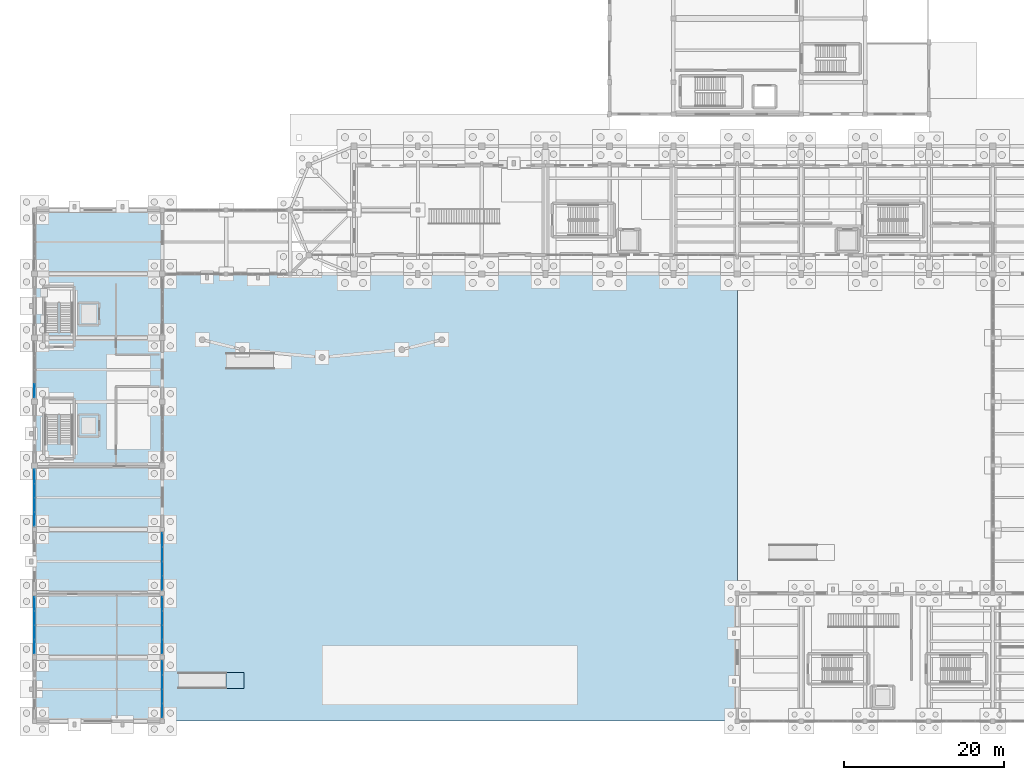
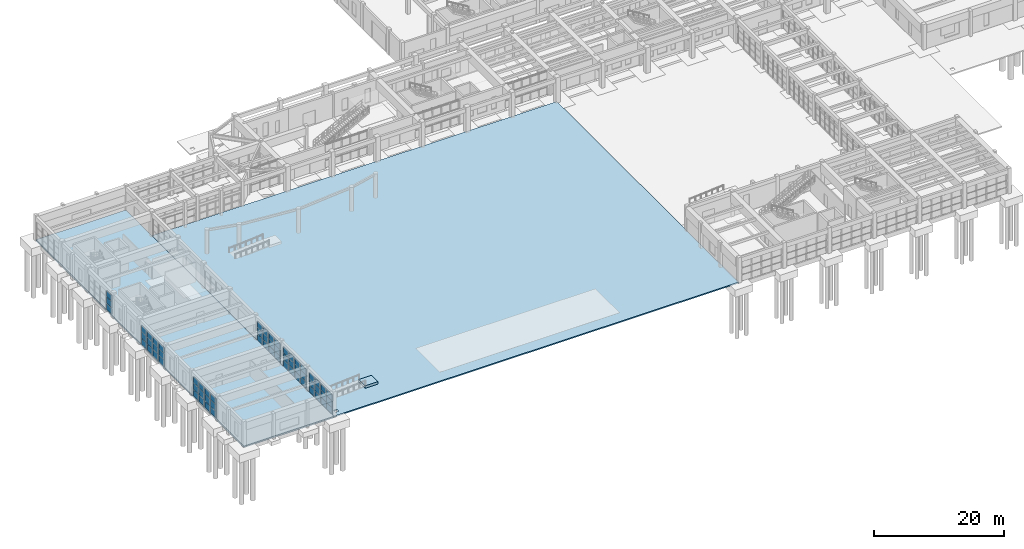
# One storey, part 35 of 68: 63 plates, 3 slabs, 6 elements without a shape of their own.
"""IFC4 building model written with IfcOpenShell, lengths in metres."""

import ifcopenshell
import ifcopenshell.guid

model = None  # the IFC model being written
_history = None  # IfcOwnerHistory: only IFC2X3 demands one
_inside = {}  # id of a spatial element -> (the spatial element, [elements in it])
_under = {}  # id of a project, library or spatial element -> (it, [spatial elements below it])
_declared = {}  # id of a project -> (the project, [libraries it declares])
_typed = {}  # id of a type object -> (the type object, [elements of that type])
_made_of = {}  # id of a material, layer set ... -> (it, [elements and type objects made of it])


def new_model(schema):
    """Start an empty IFC model of exactly this schema.

    Asked for "IFC4X3", IfcOpenShell would pick the latest addendum, in which some entities
    have other attributes; the version numbers below select the first issue.
    IFC2X3 requires an IfcOwnerHistory on every rooted entity: one is made here for all.
    """
    global model, _history
    if schema == "IFC4X3":
        model = ifcopenshell.file(schema_version=(4, 3, 0, 0))
    else:
        model = ifcopenshell.file(schema=schema)
    _inside.clear()
    _under.clear()
    _declared.clear()
    _typed.clear()
    _made_of.clear()
    _history = None
    if model.schema == "IFC2X3":
        org = make("IfcOrganization", Name="unknown")
        user = make(
            "IfcPersonAndOrganization",
            ThePerson=make("IfcPerson", FamilyName="unknown"),
            TheOrganization=org,
        )
        app = make(
            "IfcApplication",
            ApplicationDeveloper=org,
            Version="unknown",
            ApplicationFullName="unknown",
            ApplicationIdentifier="unknown",
        )
        _history = make(
            "IfcOwnerHistory",
            OwningUser=user,
            OwningApplication=app,
            ChangeAction="ADDED",
            CreationDate=0,
        )
    return model


def make(cls, **values):
    """One entity of the class cls with the attributes given. An attribute that is None is left unset."""
    return model.create_entity(
        cls, **{name: value for name, value in values.items() if value is not None}
    )


def rooted(cls, **values):
    """An entity with a GlobalId (a new one), such as an element, a storey or a relation."""
    return make(cls, GlobalId=ifcopenshell.guid.new(), OwnerHistory=_history, **values)


def si_unit(unit_type, name, prefix=None):
    """IfcSIUnit, for example si_unit("LENGTHUNIT", "METRE", prefix="MILLI")."""
    return make("IfcSIUnit", UnitType=unit_type, Prefix=prefix, Name=name)


def assignment(units):
    """IfcUnitAssignment: the units of a project."""
    return None if units is None else make("IfcUnitAssignment", Units=units)


def point(xyz):
    """IfcCartesianPoint."""
    return None if xyz is None else make("IfcCartesianPoint", Coordinates=xyz)


def direction(xyz):
    """IfcDirection."""
    return None if xyz is None else make("IfcDirection", DirectionRatios=xyz)


def frame(location, z_axis=None, x_axis=None):
    """IfcAxis2Placement3D, a coordinate frame: its origin and axes. An axis left out is left unset."""
    return make(
        "IfcAxis2Placement3D",
        Location=point(location),
        Axis=direction(z_axis),
        RefDirection=direction(x_axis),
    )


def frame_2d(location, x_axis=None):
    """IfcAxis2Placement2D, a coordinate frame in the plane: its origin and x axis."""
    return make(
        "IfcAxis2Placement2D", Location=point(location), RefDirection=direction(x_axis)
    )


def origin():
    """The frame at (0, 0, 0) with its axes left unset."""
    return frame((0.0, 0.0, 0.0))


def origin_2d():
    """The frame at (0, 0) in the plane with its x axis left unset."""
    return frame_2d((0.0, 0.0))


def place(relative_to, where):
    """IfcLocalPlacement: puts the frame where relative to a parent placement (None: the world)."""
    return make(
        "IfcLocalPlacement", PlacementRelTo=relative_to, RelativePlacement=where
    )


def context(
    kind, dimensions, precision=None, world=None, true_north=None, identifier=None
):
    """IfcGeometricRepresentationContext, for example the 3D "Model" context."""
    return make(
        "IfcGeometricRepresentationContext",
        ContextIdentifier=identifier,
        ContextType=kind,
        CoordinateSpaceDimension=dimensions,
        Precision=precision,
        WorldCoordinateSystem=world,
        TrueNorth=true_north,
    )


def subcontext(parent, identifier, kind, view, scale=None):
    """IfcGeometricRepresentationSubContext, for example "Body" below "Model"."""
    return make(
        "IfcGeometricRepresentationSubContext",
        ContextIdentifier=identifier,
        ContextType=kind,
        ParentContext=parent,
        TargetScale=scale,
        TargetView=view,
    )


def project(units=None, contexts=None):
    """IfcProject with its units and contexts."""
    return rooted(
        "IfcProject",
        Name="project",
        RepresentationContexts=contexts,
        UnitsInContext=assignment(units),
    )


def spatial(cls, under=None, at=None, **own):
    """A site, building, storey or space (cls), placed at a placement, below another one or the project."""
    s = rooted(cls, ObjectPlacement=at, **own)
    if under is not None:
        _under.setdefault(under.id(), (under, []))[1].append(s)
    return s


def polyline(points):
    """IfcPolyline through the points."""
    return make("IfcPolyline", Points=[point(p) for p in points])


def profile(cls, at=None, kind="AREA", **sizes):
    """A parametric profile (cls). Its sizes go by their IFC names, for example OverallWidth=200.0."""
    return make(cls, ProfileType=kind, Position=at, **sizes)


def rectangle(**sizes):
    """IfcRectangleProfileDef."""
    return profile("IfcRectangleProfileDef", **sizes)


def outline(outer, holes=None, kind="AREA"):
    """IfcArbitraryClosedProfileDef: a profile drawn as a closed curve; with holes, ...WithVoids."""
    if holes is None:
        return make("IfcArbitraryClosedProfileDef", ProfileType=kind, OuterCurve=outer)
    return make(
        "IfcArbitraryProfileDefWithVoids",
        ProfileType=kind,
        OuterCurve=outer,
        InnerCurves=holes,
    )


def extrude(swept, where, along, depth):
    """IfcExtrudedAreaSolid: the profile swept, set in the frame where, extruded along a direction by depth."""
    return make(
        "IfcExtrudedAreaSolid",
        SweptArea=swept,
        Position=where,
        ExtrudedDirection=direction(along),
        Depth=depth,
    )


def shape(context_of_items, identifier, shape_type, items):
    """IfcShapeRepresentation: the items that make up one representation, for example the "Body"."""
    return make(
        "IfcShapeRepresentation",
        ContextOfItems=context_of_items,
        RepresentationIdentifier=identifier,
        RepresentationType=shape_type,
        Items=items,
    )


def material(Name=None, Category=None):
    """IfcMaterial."""
    return make("IfcMaterial", Name=Name, Category=Category)


def layer(
    of_material, thickness, ventilated=None, Name=None, Category=None, Priority=None
):
    """IfcMaterialLayer: one layer of a wall or slab, of a material (None: an air gap)."""
    return make(
        "IfcMaterialLayer",
        Material=of_material,
        LayerThickness=thickness,
        IsVentilated=ventilated,
        Name=Name,
        Category=Category,
        Priority=Priority,
    )


def layer_set(layers, Name=None):
    """IfcMaterialLayerSet."""
    return make("IfcMaterialLayerSet", MaterialLayers=layers, LayerSetName=Name)


def made_of(thing, what):
    """Note that an element or type object is made of a material, layer set ...; save() writes the relation."""
    if what is not None:
        _made_of.setdefault(what.id(), (what, []))[1].append(thing)
    return thing


def type_object(cls, material=None, **own):
    """A type object (cls), such as IfcWallType, which elements share."""
    return made_of(rooted(cls, **own), material)


def element(
    cls,
    number,
    at=None,
    inside=None,
    cuts=None,
    type_object=None,
    material=None,
    context=None,
    identifier="Body",
    shape_type=None,
    held_by="IfcProductDefinitionShape",
    body=None,
    shapes=None,
    **own,
):
    """One element of the class cls, such as IfcWall. Its Tag is "e" and its number.

    at: its placement. inside: the storey or other place that contains it. cuts: it is an
    opening in that element (IfcRelVoidsElement). A single representation is given by context,
    identifier, shape_type and body (its items); several are given by shapes. held_by: the class
    of the entity that holds the representations. save() writes the other relations.
    """
    e = rooted(cls, Tag="e%d" % number, ObjectPlacement=at, **own)
    if body is not None:
        shapes = [shape(context, identifier, shape_type, body)]
    if shapes is not None:
        e.Representation = make(held_by, Representations=shapes)
    if inside is not None:
        _inside.setdefault(inside.id(), (inside, []))[1].append(e)
    if cuts is not None:
        rooted(
            "IfcRelVoidsElement", RelatingBuildingElement=cuts, RelatedOpeningElement=e
        )
    if type_object is not None:
        _typed.setdefault(type_object.id(), (type_object, []))[1].append(e)
    return made_of(e, material)


def aggregate(whole, parts):
    """IfcRelAggregates: a whole, such as a stair, and the parts it consists of."""
    return rooted("IfcRelAggregates", RelatingObject=whole, RelatedObjects=parts)


def save(model, path):
    """Write the relations noted so far, then the file.

    IfcRelAggregates (storeys below a building ...), IfcRelContainedInSpatialStructure (elements
    in a storey), IfcRelDefinesByType, IfcRelAssociatesMaterial and IfcRelDeclares: one each for
    every whole, place, type object, material and project.
    """
    for whole, parts in _under.values():
        aggregate(whole, parts)
    for where, things in _inside.values():
        rooted(
            "IfcRelContainedInSpatialStructure",
            RelatedElements=things,
            RelatingStructure=where,
        )
    for kind, things in _typed.values():
        rooted("IfcRelDefinesByType", RelatedObjects=things, RelatingType=kind)
    for what, things in _made_of.values():
        rooted("IfcRelAssociatesMaterial", RelatedObjects=things, RelatingMaterial=what)
    for by, libraries in _declared.values():
        rooted("IfcRelDeclares", RelatingContext=by, RelatedDefinitions=libraries)
    model.write(path)


model = new_model("IFC4")

# Units and contexts
model_context = context("Model", 3, precision=1e-05, world=origin(), true_north=direction((0.0, 1.0)))
body_context = subcontext(model_context, "Body", "Model", "MODEL_VIEW")
ifc_project = project(units=[si_unit("LENGTHUNIT", "METRE"), si_unit("AREAUNIT", "SQUARE_METRE"), si_unit("VOLUMEUNIT", "CUBIC_METRE"), si_unit("PLANEANGLEUNIT", "RADIAN"), si_unit("MASSUNIT", "GRAM", prefix="KILO")], contexts=[model_context])

# Site, building, storey
site_placement = place(None, origin())
site = spatial("IfcSite", under=ifc_project, at=site_placement, CompositionType="ELEMENT")
building_placement = place(site_placement, origin())
building = spatial("IfcBuilding", under=site, at=building_placement, Name="Serraluz Foothill Cableway Terminal", CompositionType="ELEMENT")
storey_placement = place(building_placement, origin())
storey = spatial("IfcBuildingStorey", under=building, at=storey_placement, Name="L00", CompositionType="ELEMENT", Elevation=0.0)

# Curtain wall, plates
ifc_material_1 = material(Name="Architectural bronze alloy C28000", Category="aluminium")
curtain_wall_type_1 = type_object("IfcCurtainWallType", Name="TYP-CW-520X480", PredefinedType="NOTDEFINED", material=ifc_material_1)
curtain_wall_1_placement = place(storey_placement, origin())
curtain_wall_1 = element("IfcCurtainWall", 1, at=curtain_wall_1_placement, inside=storey, type_object=curtain_wall_type_1, Name="Ribbed Glazed Curtain Wall CW-V5E-L00-0", PredefinedType="NOTDEFINED")
ifc_material_2 = material(Name="Translucent ribbed laminated channel glass", Category="glass")
ifc_layer_1 = layer(ifc_material_2, 0.028076171875, Name="Translucent ribbed laminated channel glass", Category="glass")
ifc_layer_set_1 = layer_set([ifc_layer_1], Name="Translucent ribbed laminated channel glass")
plate_type = type_object("IfcPlateType", Name="TYP-CW-PNL-28", PredefinedType="CURTAIN_PANEL", material=ifc_layer_set_1)
plate_1_placement = place(storey_placement, frame((16.0, 6.673828125, 0.06005859375), z_axis=(0.0, 0.0, 1.0), x_axis=(0.0, -1.0, 0.0)))
plate_1 = element("IfcPlate", 2, at=plate_1_placement, type_object=plate_type, Name="CW-09 panel 1.1", PredefinedType="CURTAIN_PANEL", context=body_context, shape_type="SweptSolid", body=[
    extrude(rectangle(XDim=1.702392578125, YDim=0.028076171875, at=origin_2d()), origin(), (0.0, 0.0, 1.0), 1.183349609375),
])
plate_2_placement = place(storey_placement, frame((16.0, 6.673828125, 1.30322265625), z_axis=(0.0, 0.0, 1.0), x_axis=(0.0, -1.0, 0.0)))
plate_2 = element("IfcPlate", 3, at=plate_2_placement, type_object=plate_type, Name="CW-09 panel 1.2", PredefinedType="CURTAIN_PANEL", context=body_context, shape_type="SweptSolid", body=[
    extrude(rectangle(XDim=1.702392578125, YDim=0.028076171875, at=origin_2d()), origin(), (0.0, 0.0, 1.0), 1.21337890625),
])
plate_3_placement = place(storey_placement, frame((16.0, 6.673828125, 2.57666015625), z_axis=(0.0, 0.0, 1.0), x_axis=(0.0, -1.0, 0.0)))
plate_3 = element("IfcPlate", 4, at=plate_3_placement, type_object=plate_type, Name="CW-09 panel 1.3", PredefinedType="CURTAIN_PANEL", context=body_context, shape_type="SweptSolid", body=[
    extrude(rectangle(XDim=1.702392578125, YDim=0.028076171875, at=origin_2d()), origin(), (0.0, 0.0, 1.0), 1.183349609375),
])
plate_4_placement = place(storey_placement, frame((16.0, 4.896240234375, 0.06005859375), z_axis=(0.0, 0.0, 1.0), x_axis=(0.0, -1.0, 0.0)))
plate_4 = element("IfcPlate", 5, at=plate_4_placement, type_object=plate_type, Name="CW-09 panel 2.1", PredefinedType="CURTAIN_PANEL", context=body_context, shape_type="SweptSolid", body=[
    extrude(rectangle(XDim=1.732421875, YDim=0.028076171875, at=origin_2d()), origin(), (0.0, 0.0, 1.0), 1.183349609375),
])
plate_5_placement = place(storey_placement, frame((16.0, 4.896240234375, 1.30322265625), z_axis=(0.0, 0.0, 1.0), x_axis=(0.0, -1.0, 0.0)))
plate_5 = element("IfcPlate", 6, at=plate_5_placement, type_object=plate_type, Name="CW-09 panel 2.2", PredefinedType="CURTAIN_PANEL", context=body_context, shape_type="SweptSolid", body=[
    extrude(rectangle(XDim=1.732421875, YDim=0.028076171875, at=origin_2d()), origin(), (0.0, 0.0, 1.0), 1.21337890625),
])
plate_6_placement = place(storey_placement, frame((16.0, 4.896240234375, 2.57666015625), z_axis=(0.0, 0.0, 1.0), x_axis=(0.0, -1.0, 0.0)))
plate_6 = element("IfcPlate", 7, at=plate_6_placement, type_object=plate_type, Name="CW-09 panel 2.3", PredefinedType="CURTAIN_PANEL", context=body_context, shape_type="SweptSolid", body=[
    extrude(rectangle(XDim=1.732421875, YDim=0.028076171875, at=origin_2d()), origin(), (0.0, 0.0, 1.0), 1.183349609375),
])
plate_7_placement = place(storey_placement, frame((16.0, 3.103759765625, 0.06005859375), z_axis=(0.0, 0.0, 1.0), x_axis=(0.0, -1.0, 0.0)))
plate_7 = element("IfcPlate", 8, at=plate_7_placement, type_object=plate_type, Name="CW-09 panel 3.1", PredefinedType="CURTAIN_PANEL", context=body_context, shape_type="SweptSolid", body=[
    extrude(rectangle(XDim=1.732421875, YDim=0.028076171875, at=origin_2d()), origin(), (0.0, 0.0, 1.0), 1.183349609375),
])
plate_8_placement = place(storey_placement, frame((16.0, 3.103759765625, 1.30322265625), z_axis=(0.0, 0.0, 1.0), x_axis=(0.0, -1.0, 0.0)))
plate_8 = element("IfcPlate", 9, at=plate_8_placement, type_object=plate_type, Name="CW-09 panel 3.2", PredefinedType="CURTAIN_PANEL", context=body_context, shape_type="SweptSolid", body=[
    extrude(rectangle(XDim=1.732421875, YDim=0.028076171875, at=origin_2d()), origin(), (0.0, 0.0, 1.0), 1.21337890625),
])
plate_9_placement = place(storey_placement, frame((16.0, 3.103759765625, 2.57666015625), z_axis=(0.0, 0.0, 1.0), x_axis=(0.0, -1.0, 0.0)))
plate_9 = element("IfcPlate", 10, at=plate_9_placement, type_object=plate_type, Name="CW-09 panel 3.3", PredefinedType="CURTAIN_PANEL", context=body_context, shape_type="SweptSolid", body=[
    extrude(rectangle(XDim=1.732421875, YDim=0.028076171875, at=origin_2d()), origin(), (0.0, 0.0, 1.0), 1.183349609375),
])
plate_10_placement = place(storey_placement, frame((16.0, 1.326171875, 0.06005859375), z_axis=(0.0, 0.0, 1.0), x_axis=(0.0, -1.0, 0.0)))
plate_10 = element("IfcPlate", 11, at=plate_10_placement, type_object=plate_type, Name="CW-09 panel 4.1", PredefinedType="CURTAIN_PANEL", context=body_context, shape_type="SweptSolid", body=[
    extrude(rectangle(XDim=1.702392578125, YDim=0.028076171875, at=origin_2d()), origin(), (0.0, 0.0, 1.0), 1.183349609375),
])
plate_11_placement = place(storey_placement, frame((16.0, 1.326171875, 1.30322265625), z_axis=(0.0, 0.0, 1.0), x_axis=(0.0, -1.0, 0.0)))
plate_11 = element("IfcPlate", 12, at=plate_11_placement, type_object=plate_type, Name="CW-09 panel 4.2", PredefinedType="CURTAIN_PANEL", context=body_context, shape_type="SweptSolid", body=[
    extrude(rectangle(XDim=1.702392578125, YDim=0.028076171875, at=origin_2d()), origin(), (0.0, 0.0, 1.0), 1.21337890625),
])
plate_12_placement = place(storey_placement, frame((16.0, 1.326171875, 2.57666015625), z_axis=(0.0, 0.0, 1.0), x_axis=(0.0, -1.0, 0.0)))
plate_12 = element("IfcPlate", 13, at=plate_12_placement, type_object=plate_type, Name="CW-09 panel 4.3", PredefinedType="CURTAIN_PANEL", context=body_context, shape_type="SweptSolid", body=[
    extrude(rectangle(XDim=1.702392578125, YDim=0.028076171875, at=origin_2d()), origin(), (0.0, 0.0, 1.0), 1.183349609375),
])
aggregate(curtain_wall_1, [plate_1, plate_2, plate_3, plate_4, plate_5, plate_6, plate_7, plate_8, plate_9, plate_10, plate_11, plate_12])

curtain_wall_type_2 = type_object("IfcCurtainWallType", Name="TYP-CW-720X480", PredefinedType="NOTDEFINED", material=ifc_material_1)
curtain_wall_2_placement = place(storey_placement, origin())
curtain_wall_2 = element("IfcCurtainWall", 14, at=curtain_wall_2_placement, inside=storey, type_object=curtain_wall_type_2, Name="Ribbed Glazed Curtain Wall CW-V5W-L00-8", PredefinedType="NOTDEFINED")
plate_13_placement = place(storey_placement, frame((0.0, 9.326171875, 0.06005859375), z_axis=(0.0, 0.0, 1.0), x_axis=(0.0, 1.0, 0.0)))
plate_13 = element("IfcPlate", 15, at=plate_13_placement, type_object=plate_type, Name="CW-04 panel 1.1", PredefinedType="CURTAIN_PANEL", context=body_context, shape_type="SweptSolid", body=[
    extrude(rectangle(XDim=1.702392578125, YDim=0.028076171875, at=origin_2d()), origin(), (0.0, 0.0, 1.0), 1.183349609375),
])
plate_14_placement = place(storey_placement, frame((0.0, 9.326171875, 1.30322265625), z_axis=(0.0, 0.0, 1.0), x_axis=(0.0, 1.0, 0.0)))
plate_14 = element("IfcPlate", 16, at=plate_14_placement, type_object=plate_type, Name="CW-04 panel 1.2", PredefinedType="CURTAIN_PANEL", context=body_context, shape_type="SweptSolid", body=[
    extrude(rectangle(XDim=1.702392578125, YDim=0.028076171875, at=origin_2d()), origin(), (0.0, 0.0, 1.0), 1.21337890625),
])
plate_15_placement = place(storey_placement, frame((0.0, 9.326171875, 2.57666015625), z_axis=(0.0, 0.0, 1.0), x_axis=(0.0, 1.0, 0.0)))
plate_15 = element("IfcPlate", 17, at=plate_15_placement, type_object=plate_type, Name="CW-04 panel 1.3", PredefinedType="CURTAIN_PANEL", context=body_context, shape_type="SweptSolid", body=[
    extrude(rectangle(XDim=1.702392578125, YDim=0.028076171875, at=origin_2d()), origin(), (0.0, 0.0, 1.0), 1.183349609375),
])
plate_16_placement = place(storey_placement, frame((0.0, 11.103759765625, 0.06005859375), z_axis=(0.0, 0.0, 1.0), x_axis=(0.0, 1.0, 0.0)))
plate_16 = element("IfcPlate", 18, at=plate_16_placement, type_object=plate_type, Name="CW-04 panel 2.1", PredefinedType="CURTAIN_PANEL", context=body_context, shape_type="SweptSolid", body=[
    extrude(rectangle(XDim=1.732421875, YDim=0.028076171875, at=origin_2d()), origin(), (0.0, 0.0, 1.0), 1.183349609375),
])
plate_17_placement = place(storey_placement, frame((0.0, 11.103759765625, 1.30322265625), z_axis=(0.0, 0.0, 1.0), x_axis=(0.0, 1.0, 0.0)))
plate_17 = element("IfcPlate", 19, at=plate_17_placement, type_object=plate_type, Name="CW-04 panel 2.2", PredefinedType="CURTAIN_PANEL", context=body_context, shape_type="SweptSolid", body=[
    extrude(rectangle(XDim=1.732421875, YDim=0.028076171875, at=origin_2d()), origin(), (0.0, 0.0, 1.0), 1.21337890625),
])
plate_18_placement = place(storey_placement, frame((0.0, 11.103759765625, 2.57666015625), z_axis=(0.0, 0.0, 1.0), x_axis=(0.0, 1.0, 0.0)))
plate_18 = element("IfcPlate", 20, at=plate_18_placement, type_object=plate_type, Name="CW-04 panel 2.3", PredefinedType="CURTAIN_PANEL", context=body_context, shape_type="SweptSolid", body=[
    extrude(rectangle(XDim=1.732421875, YDim=0.028076171875, at=origin_2d()), origin(), (0.0, 0.0, 1.0), 1.183349609375),
])
plate_19_placement = place(storey_placement, frame((0.0, 12.896240234375, 0.06005859375), z_axis=(0.0, 0.0, 1.0), x_axis=(0.0, 1.0, 0.0)))
plate_19 = element("IfcPlate", 21, at=plate_19_placement, type_object=plate_type, Name="CW-04 panel 3.1", PredefinedType="CURTAIN_PANEL", context=body_context, shape_type="SweptSolid", body=[
    extrude(rectangle(XDim=1.732421875, YDim=0.028076171875, at=origin_2d()), origin(), (0.0, 0.0, 1.0), 1.183349609375),
])
plate_20_placement = place(storey_placement, frame((0.0, 12.896240234375, 1.30322265625), z_axis=(0.0, 0.0, 1.0), x_axis=(0.0, 1.0, 0.0)))
plate_20 = element("IfcPlate", 22, at=plate_20_placement, type_object=plate_type, Name="CW-04 panel 3.2", PredefinedType="CURTAIN_PANEL", context=body_context, shape_type="SweptSolid", body=[
    extrude(rectangle(XDim=1.732421875, YDim=0.028076171875, at=origin_2d()), origin(), (0.0, 0.0, 1.0), 1.21337890625),
])
plate_21_placement = place(storey_placement, frame((0.0, 12.896240234375, 2.57666015625), z_axis=(0.0, 0.0, 1.0), x_axis=(0.0, 1.0, 0.0)))
plate_21 = element("IfcPlate", 23, at=plate_21_placement, type_object=plate_type, Name="CW-04 panel 3.3", PredefinedType="CURTAIN_PANEL", context=body_context, shape_type="SweptSolid", body=[
    extrude(rectangle(XDim=1.732421875, YDim=0.028076171875, at=origin_2d()), origin(), (0.0, 0.0, 1.0), 1.183349609375),
])
plate_22_placement = place(storey_placement, frame((0.0, 14.673828125, 0.06005859375), z_axis=(0.0, 0.0, 1.0), x_axis=(0.0, 1.0, 0.0)))
plate_22 = element("IfcPlate", 24, at=plate_22_placement, type_object=plate_type, Name="CW-04 panel 4.1", PredefinedType="CURTAIN_PANEL", context=body_context, shape_type="SweptSolid", body=[
    extrude(rectangle(XDim=1.702392578125, YDim=0.028076171875, at=origin_2d()), origin(), (0.0, 0.0, 1.0), 1.183349609375),
])
plate_23_placement = place(storey_placement, frame((0.0, 14.673828125, 1.30322265625), z_axis=(0.0, 0.0, 1.0), x_axis=(0.0, 1.0, 0.0)))
plate_23 = element("IfcPlate", 25, at=plate_23_placement, type_object=plate_type, Name="CW-04 panel 4.2", PredefinedType="CURTAIN_PANEL", context=body_context, shape_type="SweptSolid", body=[
    extrude(rectangle(XDim=1.702392578125, YDim=0.028076171875, at=origin_2d()), origin(), (0.0, 0.0, 1.0), 1.21337890625),
])
plate_24_placement = place(storey_placement, frame((0.0, 14.673828125, 2.57666015625), z_axis=(0.0, 0.0, 1.0), x_axis=(0.0, 1.0, 0.0)))
plate_24 = element("IfcPlate", 26, at=plate_24_placement, type_object=plate_type, Name="CW-04 panel 4.3", PredefinedType="CURTAIN_PANEL", context=body_context, shape_type="SweptSolid", body=[
    extrude(rectangle(XDim=1.702392578125, YDim=0.028076171875, at=origin_2d()), origin(), (0.0, 0.0, 1.0), 1.183349609375),
])
aggregate(curtain_wall_2, [plate_13, plate_14, plate_15, plate_16, plate_17, plate_18, plate_19, plate_20, plate_21, plate_22, plate_23, plate_24])

curtain_wall_type_3 = type_object("IfcCurtainWallType", Name="TYP-CW-540X420", PredefinedType="NOTDEFINED", material=ifc_material_1)
curtain_wall_3_placement = place(storey_placement, origin())
curtain_wall_3 = element("IfcCurtainWall", 27, at=curtain_wall_3_placement, inside=storey, type_object=curtain_wall_type_3, Name="Ribbed Glazed Curtain Wall CW-V5E-L00-8", PredefinedType="NOTDEFINED")
plate_25_placement = place(storey_placement, frame((16.0, 14.673828125, 0.06005859375), z_axis=(0.0, 0.0, 1.0), x_axis=(0.0, -1.0, 0.0)))
plate_25 = element("IfcPlate", 28, at=plate_25_placement, type_object=plate_type, Name="CW-10 panel 1.1", PredefinedType="CURTAIN_PANEL", context=body_context, shape_type="SweptSolid", body=[
    extrude(rectangle(XDim=1.702392578125, YDim=0.028076171875, at=origin_2d()), origin(), (0.0, 0.0, 1.0), 1.183349609375),
])
plate_26_placement = place(storey_placement, frame((16.0, 14.673828125, 1.30322265625), z_axis=(0.0, 0.0, 1.0), x_axis=(0.0, -1.0, 0.0)))
plate_26 = element("IfcPlate", 29, at=plate_26_placement, type_object=plate_type, Name="CW-10 panel 1.2", PredefinedType="CURTAIN_PANEL", context=body_context, shape_type="SweptSolid", body=[
    extrude(rectangle(XDim=1.702392578125, YDim=0.028076171875, at=origin_2d()), origin(), (0.0, 0.0, 1.0), 1.21337890625),
])
plate_27_placement = place(storey_placement, frame((16.0, 14.673828125, 2.57666015625), z_axis=(0.0, 0.0, 1.0), x_axis=(0.0, -1.0, 0.0)))
plate_27 = element("IfcPlate", 30, at=plate_27_placement, type_object=plate_type, Name="CW-10 panel 1.3", PredefinedType="CURTAIN_PANEL", context=body_context, shape_type="SweptSolid", body=[
    extrude(rectangle(XDim=1.702392578125, YDim=0.028076171875, at=origin_2d()), origin(), (0.0, 0.0, 1.0), 1.183349609375),
])
plate_28_placement = place(storey_placement, frame((16.0, 12.896240234375, 0.06005859375), z_axis=(0.0, 0.0, 1.0), x_axis=(0.0, -1.0, 0.0)))
plate_28 = element("IfcPlate", 31, at=plate_28_placement, type_object=plate_type, Name="CW-10 panel 2.1", PredefinedType="CURTAIN_PANEL", context=body_context, shape_type="SweptSolid", body=[
    extrude(rectangle(XDim=1.732421875, YDim=0.028076171875, at=origin_2d()), origin(), (0.0, 0.0, 1.0), 1.183349609375),
])
plate_29_placement = place(storey_placement, frame((16.0, 12.896240234375, 1.30322265625), z_axis=(0.0, 0.0, 1.0), x_axis=(0.0, -1.0, 0.0)))
plate_29 = element("IfcPlate", 32, at=plate_29_placement, type_object=plate_type, Name="CW-10 panel 2.2", PredefinedType="CURTAIN_PANEL", context=body_context, shape_type="SweptSolid", body=[
    extrude(rectangle(XDim=1.732421875, YDim=0.028076171875, at=origin_2d()), origin(), (0.0, 0.0, 1.0), 1.21337890625),
])
plate_30_placement = place(storey_placement, frame((16.0, 12.896240234375, 2.57666015625), z_axis=(0.0, 0.0, 1.0), x_axis=(0.0, -1.0, 0.0)))
plate_30 = element("IfcPlate", 33, at=plate_30_placement, type_object=plate_type, Name="CW-10 panel 2.3", PredefinedType="CURTAIN_PANEL", context=body_context, shape_type="SweptSolid", body=[
    extrude(rectangle(XDim=1.732421875, YDim=0.028076171875, at=origin_2d()), origin(), (0.0, 0.0, 1.0), 1.183349609375),
])
plate_31_placement = place(storey_placement, frame((16.0, 11.103759765625, 0.06005859375), z_axis=(0.0, 0.0, 1.0), x_axis=(0.0, -1.0, 0.0)))
plate_31 = element("IfcPlate", 34, at=plate_31_placement, type_object=plate_type, Name="CW-10 panel 3.1", PredefinedType="CURTAIN_PANEL", context=body_context, shape_type="SweptSolid", body=[
    extrude(rectangle(XDim=1.732421875, YDim=0.028076171875, at=origin_2d()), origin(), (0.0, 0.0, 1.0), 1.183349609375),
])
plate_32_placement = place(storey_placement, frame((16.0, 11.103759765625, 1.30322265625), z_axis=(0.0, 0.0, 1.0), x_axis=(0.0, -1.0, 0.0)))
plate_32 = element("IfcPlate", 35, at=plate_32_placement, type_object=plate_type, Name="CW-10 panel 3.2", PredefinedType="CURTAIN_PANEL", context=body_context, shape_type="SweptSolid", body=[
    extrude(rectangle(XDim=1.732421875, YDim=0.028076171875, at=origin_2d()), origin(), (0.0, 0.0, 1.0), 1.21337890625),
])
plate_33_placement = place(storey_placement, frame((16.0, 11.103759765625, 2.57666015625), z_axis=(0.0, 0.0, 1.0), x_axis=(0.0, -1.0, 0.0)))
plate_33 = element("IfcPlate", 36, at=plate_33_placement, type_object=plate_type, Name="CW-10 panel 3.3", PredefinedType="CURTAIN_PANEL", context=body_context, shape_type="SweptSolid", body=[
    extrude(rectangle(XDim=1.732421875, YDim=0.028076171875, at=origin_2d()), origin(), (0.0, 0.0, 1.0), 1.183349609375),
])
plate_34_placement = place(storey_placement, frame((16.0, 9.326171875, 0.06005859375), z_axis=(0.0, 0.0, 1.0), x_axis=(0.0, -1.0, 0.0)))
plate_34 = element("IfcPlate", 37, at=plate_34_placement, type_object=plate_type, Name="CW-10 panel 4.1", PredefinedType="CURTAIN_PANEL", context=body_context, shape_type="SweptSolid", body=[
    extrude(rectangle(XDim=1.702392578125, YDim=0.028076171875, at=origin_2d()), origin(), (0.0, 0.0, 1.0), 1.183349609375),
])
plate_35_placement = place(storey_placement, frame((16.0, 9.326171875, 1.30322265625), z_axis=(0.0, 0.0, 1.0), x_axis=(0.0, -1.0, 0.0)))
plate_35 = element("IfcPlate", 38, at=plate_35_placement, type_object=plate_type, Name="CW-10 panel 4.2", PredefinedType="CURTAIN_PANEL", context=body_context, shape_type="SweptSolid", body=[
    extrude(rectangle(XDim=1.702392578125, YDim=0.028076171875, at=origin_2d()), origin(), (0.0, 0.0, 1.0), 1.21337890625),
])
plate_36_placement = place(storey_placement, frame((16.0, 9.326171875, 2.57666015625), z_axis=(0.0, 0.0, 1.0), x_axis=(0.0, -1.0, 0.0)))
plate_36 = element("IfcPlate", 39, at=plate_36_placement, type_object=plate_type, Name="CW-10 panel 4.3", PredefinedType="CURTAIN_PANEL", context=body_context, shape_type="SweptSolid", body=[
    extrude(rectangle(XDim=1.702392578125, YDim=0.028076171875, at=origin_2d()), origin(), (0.0, 0.0, 1.0), 1.183349609375),
])
aggregate(curtain_wall_3, [plate_25, plate_26, plate_27, plate_28, plate_29, plate_30, plate_31, plate_32, plate_33, plate_34, plate_35, plate_36])

curtain_wall_type_4 = type_object("IfcCurtainWallType", Name="TYP-CW-620X420", PredefinedType="NOTDEFINED", material=ifc_material_1)
curtain_wall_4_placement = place(storey_placement, origin())
curtain_wall_4 = element("IfcCurtainWall", 40, at=curtain_wall_4_placement, inside=storey, type_object=curtain_wall_type_4, Name="Ribbed Glazed Curtain Wall CW-V5E-L00-16", PredefinedType="NOTDEFINED")
plate_37_placement = place(storey_placement, frame((16.0, 22.673828125, 0.06005859375), z_axis=(0.0, 0.0, 1.0), x_axis=(0.0, -1.0, 0.0)))
plate_37 = element("IfcPlate", 41, at=plate_37_placement, type_object=plate_type, Name="CW-11 panel 1.1", PredefinedType="CURTAIN_PANEL", context=body_context, shape_type="SweptSolid", body=[
    extrude(rectangle(XDim=1.702392578125, YDim=0.028076171875, at=origin_2d()), origin(), (0.0, 0.0, 1.0), 1.15673828125),
])
plate_38_placement = place(storey_placement, frame((16.0, 22.673828125, 1.27685546875), z_axis=(0.0, 0.0, 1.0), x_axis=(0.0, -1.0, 0.0)))
plate_38 = element("IfcPlate", 42, at=plate_38_placement, type_object=plate_type, Name="CW-11 panel 1.2", PredefinedType="CURTAIN_PANEL", context=body_context, shape_type="SweptSolid", body=[
    extrude(rectangle(XDim=1.702392578125, YDim=0.028076171875, at=origin_2d()), origin(), (0.0, 0.0, 1.0), 1.1865234375),
])
plate_39_placement = place(storey_placement, frame((16.0, 22.673828125, 2.523193359375), z_axis=(0.0, 0.0, 1.0), x_axis=(0.0, -1.0, 0.0)))
plate_39 = element("IfcPlate", 43, at=plate_39_placement, type_object=plate_type, Name="CW-11 panel 1.3", PredefinedType="CURTAIN_PANEL", context=body_context, shape_type="SweptSolid", body=[
    extrude(rectangle(XDim=1.702392578125, YDim=0.028076171875, at=origin_2d()), origin(), (0.0, 0.0, 1.0), 1.15673828125),
])
plate_40_placement = place(storey_placement, frame((16.0, 20.896240234375, 0.06005859375), z_axis=(0.0, 0.0, 1.0), x_axis=(0.0, -1.0, 0.0)))
plate_40 = element("IfcPlate", 44, at=plate_40_placement, type_object=plate_type, Name="CW-11 panel 2.1", PredefinedType="CURTAIN_PANEL", context=body_context, shape_type="SweptSolid", body=[
    extrude(rectangle(XDim=1.732421875, YDim=0.028076171875, at=origin_2d()), origin(), (0.0, 0.0, 1.0), 1.15673828125),
])
plate_41_placement = place(storey_placement, frame((16.0, 20.896240234375, 1.27685546875), z_axis=(0.0, 0.0, 1.0), x_axis=(0.0, -1.0, 0.0)))
plate_41 = element("IfcPlate", 45, at=plate_41_placement, type_object=plate_type, Name="CW-11 panel 2.2", PredefinedType="CURTAIN_PANEL", context=body_context, shape_type="SweptSolid", body=[
    extrude(rectangle(XDim=1.732421875, YDim=0.028076171875, at=origin_2d()), origin(), (0.0, 0.0, 1.0), 1.1865234375),
])
plate_42_placement = place(storey_placement, frame((16.0, 20.896240234375, 2.523193359375), z_axis=(0.0, 0.0, 1.0), x_axis=(0.0, -1.0, 0.0)))
plate_42 = element("IfcPlate", 46, at=plate_42_placement, type_object=plate_type, Name="CW-11 panel 2.3", PredefinedType="CURTAIN_PANEL", context=body_context, shape_type="SweptSolid", body=[
    extrude(rectangle(XDim=1.732421875, YDim=0.028076171875, at=origin_2d()), origin(), (0.0, 0.0, 1.0), 1.15673828125),
])
plate_43_placement = place(storey_placement, frame((16.0, 19.103759765625, 0.06005859375), z_axis=(0.0, 0.0, 1.0), x_axis=(0.0, -1.0, 0.0)))
plate_43 = element("IfcPlate", 47, at=plate_43_placement, type_object=plate_type, Name="CW-11 panel 3.1", PredefinedType="CURTAIN_PANEL", context=body_context, shape_type="SweptSolid", body=[
    extrude(rectangle(XDim=1.732421875, YDim=0.028076171875, at=origin_2d()), origin(), (0.0, 0.0, 1.0), 1.15673828125),
])
plate_44_placement = place(storey_placement, frame((16.0, 19.103759765625, 1.27685546875), z_axis=(0.0, 0.0, 1.0), x_axis=(0.0, -1.0, 0.0)))
plate_44 = element("IfcPlate", 48, at=plate_44_placement, type_object=plate_type, Name="CW-11 panel 3.2", PredefinedType="CURTAIN_PANEL", context=body_context, shape_type="SweptSolid", body=[
    extrude(rectangle(XDim=1.732421875, YDim=0.028076171875, at=origin_2d()), origin(), (0.0, 0.0, 1.0), 1.1865234375),
])
plate_45_placement = place(storey_placement, frame((16.0, 19.103759765625, 2.523193359375), z_axis=(0.0, 0.0, 1.0), x_axis=(0.0, -1.0, 0.0)))
plate_45 = element("IfcPlate", 49, at=plate_45_placement, type_object=plate_type, Name="CW-11 panel 3.3", PredefinedType="CURTAIN_PANEL", context=body_context, shape_type="SweptSolid", body=[
    extrude(rectangle(XDim=1.732421875, YDim=0.028076171875, at=origin_2d()), origin(), (0.0, 0.0, 1.0), 1.15673828125),
])
plate_46_placement = place(storey_placement, frame((16.0, 17.326171875, 0.06005859375), z_axis=(0.0, 0.0, 1.0), x_axis=(0.0, -1.0, 0.0)))
plate_46 = element("IfcPlate", 50, at=plate_46_placement, type_object=plate_type, Name="CW-11 panel 4.1", PredefinedType="CURTAIN_PANEL", context=body_context, shape_type="SweptSolid", body=[
    extrude(rectangle(XDim=1.702392578125, YDim=0.028076171875, at=origin_2d()), origin(), (0.0, 0.0, 1.0), 1.15673828125),
])
plate_47_placement = place(storey_placement, frame((16.0, 17.326171875, 1.27685546875), z_axis=(0.0, 0.0, 1.0), x_axis=(0.0, -1.0, 0.0)))
plate_47 = element("IfcPlate", 51, at=plate_47_placement, type_object=plate_type, Name="CW-11 panel 4.2", PredefinedType="CURTAIN_PANEL", context=body_context, shape_type="SweptSolid", body=[
    extrude(rectangle(XDim=1.702392578125, YDim=0.028076171875, at=origin_2d()), origin(), (0.0, 0.0, 1.0), 1.1865234375),
])
plate_48_placement = place(storey_placement, frame((16.0, 17.326171875, 2.523193359375), z_axis=(0.0, 0.0, 1.0), x_axis=(0.0, -1.0, 0.0)))
plate_48 = element("IfcPlate", 52, at=plate_48_placement, type_object=plate_type, Name="CW-11 panel 4.3", PredefinedType="CURTAIN_PANEL", context=body_context, shape_type="SweptSolid", body=[
    extrude(rectangle(XDim=1.702392578125, YDim=0.028076171875, at=origin_2d()), origin(), (0.0, 0.0, 1.0), 1.15673828125),
])
aggregate(curtain_wall_4, [plate_37, plate_38, plate_39, plate_40, plate_41, plate_42, plate_43, plate_44, plate_45, plate_46, plate_47, plate_48])

curtain_wall_type_5 = type_object("IfcCurtainWallType", Name="TYP-CW-740X440", PredefinedType="NOTDEFINED", material=ifc_material_1)
curtain_wall_5_placement = place(storey_placement, origin())
curtain_wall_5 = element("IfcCurtainWall", 53, at=curtain_wall_5_placement, inside=storey, type_object=curtain_wall_type_5, Name="Ribbed Glazed Curtain Wall CW-V5W-L00-24", PredefinedType="NOTDEFINED")
plate_49_placement = place(storey_placement, frame((0.0, 25.31689453125, 0.06005859375), z_axis=(0.0, 0.0, 1.0), x_axis=(0.0, 1.0, 0.0)))
plate_49 = element("IfcPlate", 54, at=plate_49_placement, type_object=plate_type, Name="CW-06 panel 1.1", PredefinedType="CURTAIN_PANEL", context=body_context, shape_type="SweptSolid", body=[
    extrude(rectangle(XDim=1.683837890625, YDim=0.028076171875, at=origin_2d()), origin(), (0.0, 0.0, 1.0), 1.15673828125),
])
plate_50_placement = place(storey_placement, frame((0.0, 25.31689453125, 1.27685546875), z_axis=(0.0, 0.0, 1.0), x_axis=(0.0, 1.0, 0.0)))
plate_50 = element("IfcPlate", 55, at=plate_50_placement, type_object=plate_type, Name="CW-06 panel 1.2", PredefinedType="CURTAIN_PANEL", context=body_context, shape_type="SweptSolid", body=[
    extrude(rectangle(XDim=1.683837890625, YDim=0.028076171875, at=origin_2d()), origin(), (0.0, 0.0, 1.0), 1.1865234375),
])
plate_51_placement = place(storey_placement, frame((0.0, 25.31689453125, 2.523193359375), z_axis=(0.0, 0.0, 1.0), x_axis=(0.0, 1.0, 0.0)))
plate_51 = element("IfcPlate", 56, at=plate_51_placement, type_object=plate_type, Name="CW-06 panel 1.3", PredefinedType="CURTAIN_PANEL", context=body_context, shape_type="SweptSolid", body=[
    extrude(rectangle(XDim=1.683837890625, YDim=0.028076171875, at=origin_2d()), origin(), (0.0, 0.0, 1.0), 1.15673828125),
])
plate_52_placement = place(storey_placement, frame((0.0, 27.07568359375, 0.06005859375), z_axis=(0.0, 0.0, 1.0), x_axis=(0.0, 1.0, 0.0)))
plate_52 = element("IfcPlate", 57, at=plate_52_placement, type_object=plate_type, Name="CW-06 panel 2.1", PredefinedType="CURTAIN_PANEL", context=body_context, shape_type="SweptSolid", body=[
    extrude(rectangle(XDim=1.7138671875, YDim=0.028076171875, at=origin_2d()), origin(), (0.0, 0.0, 1.0), 1.15673828125),
])
plate_53_placement = place(storey_placement, frame((0.0, 27.07568359375, 1.27685546875), z_axis=(0.0, 0.0, 1.0), x_axis=(0.0, 1.0, 0.0)))
plate_53 = element("IfcPlate", 58, at=plate_53_placement, type_object=plate_type, Name="CW-06 panel 2.2", PredefinedType="CURTAIN_PANEL", context=body_context, shape_type="SweptSolid", body=[
    extrude(rectangle(XDim=1.7138671875, YDim=0.028076171875, at=origin_2d()), origin(), (0.0, 0.0, 1.0), 1.1865234375),
])
plate_54_placement = place(storey_placement, frame((0.0, 27.07568359375, 2.523193359375), z_axis=(0.0, 0.0, 1.0), x_axis=(0.0, 1.0, 0.0)))
plate_54 = element("IfcPlate", 59, at=plate_54_placement, type_object=plate_type, Name="CW-06 panel 2.3", PredefinedType="CURTAIN_PANEL", context=body_context, shape_type="SweptSolid", body=[
    extrude(rectangle(XDim=1.7138671875, YDim=0.028076171875, at=origin_2d()), origin(), (0.0, 0.0, 1.0), 1.15673828125),
])
plate_55_placement = place(storey_placement, frame((0.0, 28.849365234375, 0.06005859375), z_axis=(0.0, 0.0, 1.0), x_axis=(0.0, 1.0, 0.0)))
plate_55 = element("IfcPlate", 60, at=plate_55_placement, type_object=plate_type, Name="CW-06 panel 3.1", PredefinedType="CURTAIN_PANEL", context=body_context, shape_type="SweptSolid", body=[
    extrude(rectangle(XDim=1.7138671875, YDim=0.028076171875, at=origin_2d()), origin(), (0.0, 0.0, 1.0), 1.15673828125),
])
plate_56_placement = place(storey_placement, frame((0.0, 28.849365234375, 1.27685546875), z_axis=(0.0, 0.0, 1.0), x_axis=(0.0, 1.0, 0.0)))
plate_56 = element("IfcPlate", 61, at=plate_56_placement, type_object=plate_type, Name="CW-06 panel 3.2", PredefinedType="CURTAIN_PANEL", context=body_context, shape_type="SweptSolid", body=[
    extrude(rectangle(XDim=1.7138671875, YDim=0.028076171875, at=origin_2d()), origin(), (0.0, 0.0, 1.0), 1.1865234375),
])
plate_57_placement = place(storey_placement, frame((0.0, 28.849365234375, 2.523193359375), z_axis=(0.0, 0.0, 1.0), x_axis=(0.0, 1.0, 0.0)))
plate_57 = element("IfcPlate", 62, at=plate_57_placement, type_object=plate_type, Name="CW-06 panel 3.3", PredefinedType="CURTAIN_PANEL", context=body_context, shape_type="SweptSolid", body=[
    extrude(rectangle(XDim=1.7138671875, YDim=0.028076171875, at=origin_2d()), origin(), (0.0, 0.0, 1.0), 1.15673828125),
])
plate_58_placement = place(storey_placement, frame((0.0, 30.608154296875, 0.06005859375), z_axis=(0.0, 0.0, 1.0), x_axis=(0.0, 1.0, 0.0)))
plate_58 = element("IfcPlate", 63, at=plate_58_placement, type_object=plate_type, Name="CW-06 panel 4.1", PredefinedType="CURTAIN_PANEL", context=body_context, shape_type="SweptSolid", body=[
    extrude(rectangle(XDim=1.683837890625, YDim=0.028076171875, at=origin_2d()), origin(), (0.0, 0.0, 1.0), 1.15673828125),
])
plate_59_placement = place(storey_placement, frame((0.0, 30.608154296875, 1.27685546875), z_axis=(0.0, 0.0, 1.0), x_axis=(0.0, 1.0, 0.0)))
plate_59 = element("IfcPlate", 64, at=plate_59_placement, type_object=plate_type, Name="CW-06 panel 4.2", PredefinedType="CURTAIN_PANEL", context=body_context, shape_type="SweptSolid", body=[
    extrude(rectangle(XDim=1.683837890625, YDim=0.028076171875, at=origin_2d()), origin(), (0.0, 0.0, 1.0), 1.1865234375),
])
plate_60_placement = place(storey_placement, frame((0.0, 30.608154296875, 2.523193359375), z_axis=(0.0, 0.0, 1.0), x_axis=(0.0, 1.0, 0.0)))
plate_60 = element("IfcPlate", 65, at=plate_60_placement, type_object=plate_type, Name="CW-06 panel 4.3", PredefinedType="CURTAIN_PANEL", context=body_context, shape_type="SweptSolid", body=[
    extrude(rectangle(XDim=1.683837890625, YDim=0.028076171875, at=origin_2d()), origin(), (0.0, 0.0, 1.0), 1.15673828125),
])
aggregate(curtain_wall_5, [plate_49, plate_50, plate_51, plate_52, plate_53, plate_54, plate_55, plate_56, plate_57, plate_58, plate_59, plate_60])

curtain_wall_type_6 = type_object("IfcCurtainWallType", Name="TYP-CW-520X440", PredefinedType="NOTDEFINED", material=ifc_material_1)
curtain_wall_6_placement = place(storey_placement, origin())
curtain_wall_6 = element("IfcCurtainWall", 66, at=curtain_wall_6_placement, inside=storey, type_object=curtain_wall_type_6, Name="Ribbed Glazed Curtain Wall CW-V5W-L00-40", PredefinedType="NOTDEFINED")
plate_61_placement = place(storey_placement, frame((0.0, 41.382568359375, 0.06005859375), z_axis=(0.0, 0.0, 1.0), x_axis=(0.0, 1.0, 0.0)))
plate_61 = element("IfcPlate", 67, at=plate_61_placement, type_object=plate_type, Name="CW-08 panel 1.1", PredefinedType="CURTAIN_PANEL", context=body_context, shape_type="SweptSolid", body=[
    extrude(rectangle(XDim=1.6650390625, YDim=0.028076171875, at=origin_2d()), origin(), (0.0, 0.0, 1.0), 1.15673828125),
])
plate_62_placement = place(storey_placement, frame((0.0, 41.382568359375, 1.27685546875), z_axis=(0.0, 0.0, 1.0), x_axis=(0.0, 1.0, 0.0)))
plate_62 = element("IfcPlate", 68, at=plate_62_placement, type_object=plate_type, Name="CW-08 panel 1.2", PredefinedType="CURTAIN_PANEL", context=body_context, shape_type="SweptSolid", body=[
    extrude(rectangle(XDim=1.6650390625, YDim=0.028076171875, at=origin_2d()), origin(), (0.0, 0.0, 1.0), 1.1865234375),
])
plate_63_placement = place(storey_placement, frame((0.0, 41.382568359375, 2.523193359375), z_axis=(0.0, 0.0, 1.0), x_axis=(0.0, 1.0, 0.0)))
plate_63 = element("IfcPlate", 69, at=plate_63_placement, type_object=plate_type, Name="CW-08 panel 1.3", PredefinedType="CURTAIN_PANEL", context=body_context, shape_type="SweptSolid", body=[
    extrude(rectangle(XDim=1.6650390625, YDim=0.028076171875, at=origin_2d()), origin(), (0.0, 0.0, 1.0), 1.15673828125),
])
aggregate(curtain_wall_6, [plate_61, plate_62, plate_63])

# Slabs
ifc_material_3 = material(Name="Concrete C28/35 (f'c 28 MPa)", Category="concrete")
ifc_layer_2 = layer(ifc_material_3, 0.320068359375, Name="Concrete C28/35 (f'c 28 MPa)", Category="concrete")
ifc_layer_set_2 = layer_set([ifc_layer_2], Name="Concrete C28/35 (f'c 28 MPa)")
slab_type_1 = type_object("IfcSlabType", Name="TYP-SLB-BASE-320", PredefinedType="BASESLAB", material=ifc_layer_set_2)
slab_1_placement = place(storey_placement, frame((0.0, 0.0, -0.320068359375)))
element("IfcSlab", 70, at=slab_1_placement, inside=storey, type_object=slab_type_1, Name="Structural Slab SLB-L00-V5A", PredefinedType="BASESLAB", context=body_context, shape_type="SweptSolid", body=[
    extrude(outline(polyline([(0.0, 0.0), (16.0, 0.0), (16.0, 64.0), (0.0, 64.0), (0.0, 0.0)])), origin(), (0.0, 0.0, 1.0), 0.320068359375),
])
ifc_material_4 = material(Name="Concrete C35/45 (f'c 35 MPa)", Category="concrete")
ifc_layer_3 = layer(ifc_material_4, 0.449951171875, Name="Concrete C35/45 (f'c 35 MPa)", Category="concrete")
ifc_layer_set_3 = layer_set([ifc_layer_3], Name="Concrete C35/45 (f'c 35 MPa)")
slab_type_2 = type_object("IfcSlabType", Name="TYP-SLB-BASE-450", PredefinedType="BASESLAB", material=ifc_layer_set_3)
slab_2_placement = place(storey_placement, origin())
element("IfcSlab", 71, at=slab_2_placement, inside=storey, type_object=slab_type_2, Name="Ramp Arrival Plinth RMP-02", PredefinedType="BASESLAB", context=body_context, shape_type="SweptSolid", body=[
    extrude(outline(polyline([(23.949951171875, 4.10009765625), (26.199951171875, 4.10009765625), (26.199951171875, 6.10009765625), (23.949951171875, 6.10009765625), (23.949951171875, 4.10009765625)])), origin(), (0.0, 0.0, 1.0), 0.449951171875),
])
ifc_layer_4 = layer(ifc_material_3, 0.219970703125, Name="Concrete C28/35 (f'c 28 MPa)", Category="concrete")
ifc_layer_set_4 = layer_set([ifc_layer_4], Name="Concrete C28/35 (f'c 28 MPa)")
slab_type_3 = type_object("IfcSlabType", Name="TYP-SLB-EXT-220", PredefinedType="BASESLAB", material=ifc_layer_set_4)
slab_3_placement = place(storey_placement, frame((0.0, 0.0, -0.219970703125)))
element("IfcSlab", 72, at=slab_3_placement, inside=storey, type_object=slab_type_3, Name="Exterior Terrace or Apron Slab EXT-L00-WEST", PredefinedType="BASESLAB", context=body_context, shape_type="SweptSolid", body=[
    extrude(outline(polyline([(16.0, 0.0), (88.0, 0.0), (88.0, 56.0), (16.0, 56.0), (16.0, 0.0)]), holes=[polyline([(16.800048828125, 0.800048828125), (17.39990234375, 0.800048828125), (17.39990234375, 1.39990234375), (16.800048828125, 1.39990234375), (16.800048828125, 0.800048828125)])]), origin(), (0.0, 0.0, 1.0), 0.219970703125),
])

save(model, "model.ifc")
